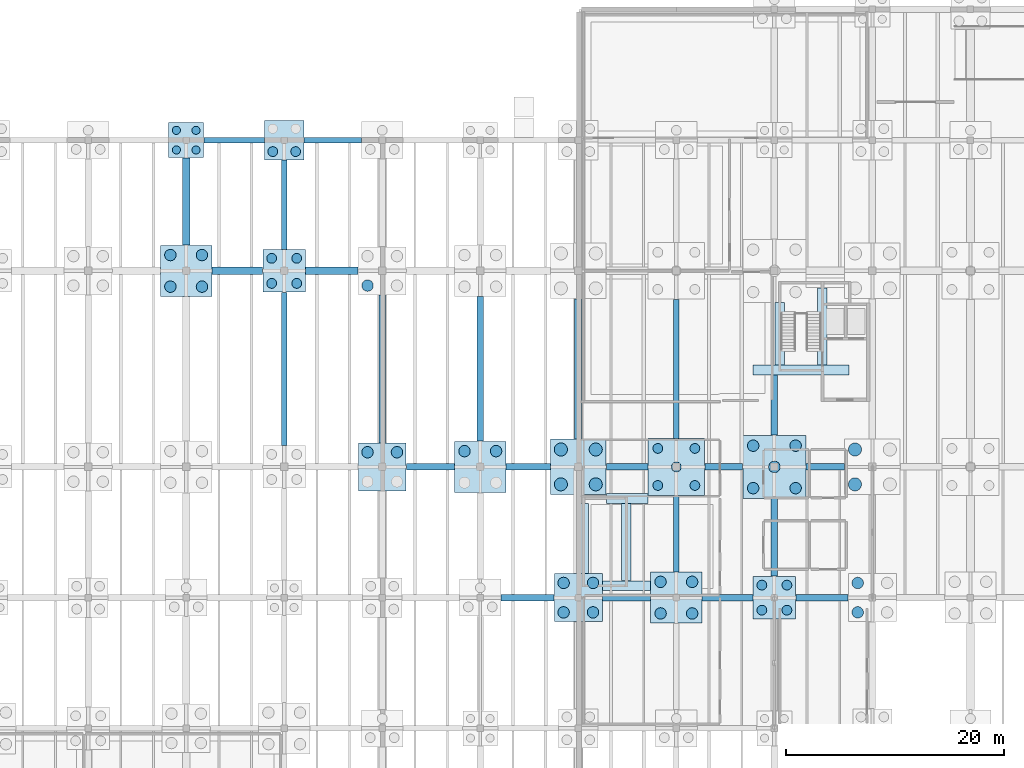
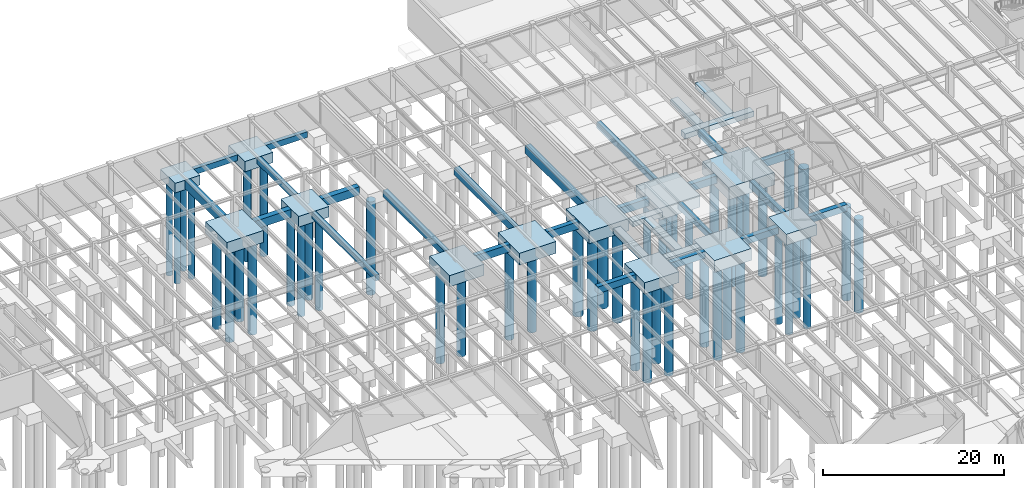
# One storey, part 8 of 40: 49 piles, 42 footings.
"""IFC4 building model written with IfcOpenShell, lengths in metres."""

from ifc_helpers import new_model, si_unit, direction, frame, origin, origin_2d, place, context, subcontext, project, spatial, polyline, rectangle, circle, outline, extrude, material, material_profile, profile_set, type_object, element, save


model = new_model("IFC4")

# Units and contexts
model_context = context("Model", 3, precision=1e-05, world=origin(), true_north=direction((0.0, 1.0)))
body_context = subcontext(model_context, "Body", "Model", "MODEL_VIEW")
ifc_project = project(units=[si_unit("LENGTHUNIT", "METRE"), si_unit("AREAUNIT", "SQUARE_METRE"), si_unit("VOLUMEUNIT", "CUBIC_METRE"), si_unit("PLANEANGLEUNIT", "RADIAN"), si_unit("MASSUNIT", "GRAM", prefix="KILO")], contexts=[model_context])

# Site, building, storey
site_placement = place(None, origin())
site = spatial("IfcSite", under=ifc_project, at=site_placement, CompositionType="ELEMENT")
building_placement = place(site_placement, origin())
building = spatial("IfcBuilding", under=site, at=building_placement, Name="Montelvaro Courts of Justice", CompositionType="ELEMENT")
storey_placement = place(building_placement, frame((0.0, 0.0, -4.5)))
storey = spatial("IfcBuildingStorey", under=building, at=storey_placement, Name="B01", CompositionType="ELEMENT", Elevation=-4.5)

# Piles
ifc_material = material(Name="Concrete C35/45", Category="concrete")
ifc_material_profile_1 = material_profile(ifc_material, circle(Radius=0.52490234375, at=origin_2d()), Name="BORED PILE D1050")
ifc_profile_set_1 = profile_set([ifc_material_profile_1], Name="Concrete C35/45")
pile_type_1 = type_object("IfcPileType", Name="BoredPile_1050", PredefinedType="BORED", material=ifc_profile_set_1)
for number, where, z_axis, x_axis, name in (
    (1, (61.550048828125, 94.550048828125, -1.5), (0.0, 0.0, -1.0), (1.0, 0.0, 0.0), "Bored Pile BP-03 8/H-1"),
    (2, (64.449951171875, 94.550048828125, -1.5), (0.0, 0.0, -1.0), (1.0, 0.0, 0.0), "Bored Pile BP-03 8/H-2"),
    (3, (61.550048828125, 97.449951171875, -1.5), (0.0, 0.0, -1.0), (1.0, 0.0, 0.0), "Bored Pile BP-03 8/H-3"),
    (4, (64.449951171875, 97.449951171875, -1.5), (0.0, 0.0, -1.0), (1.0, 0.0, 0.0), "Bored Pile BP-03 8/H-4"),
):
    element("IfcPile", number, at=place(storey_placement, frame(where, z_axis=z_axis, x_axis=x_axis)), inside=storey, type_object=pile_type_1, Name=name, PredefinedType="BORED", context=body_context, shape_type="SweptSolid", body=[
        extrude(circle(Radius=0.52490234375, at=origin_2d()), origin(), (0.0, 0.0, 1.0), 12.5),
    ])
for number, where, z_axis, x_axis, name in (
    (5, (79.64990234375, 79.35009765625, -1.39990234375), (0.0, 0.0, -1.0), (1.0, 0.0, 0.0), "Bored Pile BP-03 10/G-3"),
    (6, (82.35009765625, 79.35009765625, -1.39990234375), (0.0, 0.0, -1.0), (1.0, 0.0, 0.0), "Bored Pile BP-03 10/G-4"),
    (7, (79.64990234375, 94.64990234375, -1.39990234375), (0.0, 0.0, -1.0), (1.0, 0.0, 0.0), "Bored Pile BP-03 10/H-1"),
):
    element("IfcPile", number, at=place(storey_placement, frame(where, z_axis=z_axis, x_axis=x_axis)), inside=storey, type_object=pile_type_1, Name=name, PredefinedType="BORED", context=body_context, shape_type="SweptSolid", body=[
        extrude(circle(Radius=0.52490234375, at=origin_2d()), origin(), (0.0, 0.0, 1.0), 12.60009765625),
    ])
for number, where, z_axis, x_axis, name in (
    (8, (88.550048828125, 79.449951171875, -1.5), (0.0, 0.0, -1.0), (1.0, 0.0, 0.0), "Bored Pile BP-03 11/G-3"),
    (9, (91.449951171875, 79.449951171875, -1.5), (0.0, 0.0, -1.0), (1.0, 0.0, 0.0), "Bored Pile BP-03 11/G-4"),
):
    element("IfcPile", number, at=place(storey_placement, frame(where, z_axis=z_axis, x_axis=x_axis)), inside=storey, type_object=pile_type_1, Name=name, PredefinedType="BORED", context=body_context, shape_type="SweptSolid", body=[
        extrude(circle(Radius=0.52490234375, at=origin_2d()), origin(), (0.0, 0.0, 1.0), 12.5),
    ])
for number, where, z_axis, x_axis, name in (
    (10, (97.64990234375, 64.64990234375, -1.39990234375), (0.0, 0.0, -1.0), (1.0, 0.0, 0.0), "Bored Pile BP-03 12/F-1"),
    (11, (100.35009765625, 64.64990234375, -1.39990234375), (0.0, 0.0, -1.0), (1.0, 0.0, 0.0), "Bored Pile BP-03 12/F-2"),
    (12, (97.64990234375, 67.35009765625, -1.39990234375), (0.0, 0.0, -1.0), (1.0, 0.0, 0.0), "Bored Pile BP-03 12/F-3"),
    (13, (100.35009765625, 67.35009765625, -1.39990234375), (0.0, 0.0, -1.0), (1.0, 0.0, 0.0), "Bored Pile BP-03 12/F-4"),
):
    element("IfcPile", number, at=place(storey_placement, frame(where, z_axis=z_axis, x_axis=x_axis)), inside=storey, type_object=pile_type_1, Name=name, PredefinedType="BORED", context=body_context, shape_type="SweptSolid", body=[
        extrude(circle(Radius=0.52490234375, at=origin_2d()), origin(), (0.0, 0.0, 1.0), 12.60009765625),
    ])
for number, where, z_axis, x_axis, name in (
    (14, (106.550048828125, 64.550048828125, -1.5), (0.0, 0.0, -1.0), (1.0, 0.0, 0.0), "Bored Pile BP-03 13/F-1"),
    (15, (109.449951171875, 64.550048828125, -1.5), (0.0, 0.0, -1.0), (1.0, 0.0, 0.0), "Bored Pile BP-03 13/F-2"),
    (16, (106.550048828125, 67.449951171875, -1.5), (0.0, 0.0, -1.0), (1.0, 0.0, 0.0), "Bored Pile BP-03 13/F-3"),
    (17, (109.449951171875, 67.449951171875, -1.5), (0.0, 0.0, -1.0), (1.0, 0.0, 0.0), "Bored Pile BP-03 13/F-4"),
):
    element("IfcPile", number, at=place(storey_placement, frame(where, z_axis=z_axis, x_axis=x_axis)), inside=storey, type_object=pile_type_1, Name=name, PredefinedType="BORED", context=body_context, shape_type="SweptSolid", body=[
        extrude(circle(Radius=0.52490234375, at=origin_2d()), origin(), (0.0, 0.0, 1.0), 12.5),
    ])
for number, where, z_axis, x_axis, name in (
    (18, (115.050048828125, 76.050048828125, -1.60009765625), (0.0, 0.0, -1.0), (1.0, 0.0, 0.0), "Bored Pile BP-03 14/G-1"),
    (19, (118.949951171875, 76.050048828125, -1.60009765625), (0.0, 0.0, -1.0), (1.0, 0.0, 0.0), "Bored Pile BP-03 14/G-2"),
    (20, (117.0, 78.0, -1.60009765625), (0.0, 0.0, -1.0), (1.0, 0.0, 0.0), "Bored Pile BP-03 14/G-3"),
    (21, (115.050048828125, 79.949951171875, -1.60009765625), (0.0, 0.0, -1.0), (1.0, 0.0, 0.0), "Bored Pile BP-03 14/G-4"),
    (22, (118.949951171875, 79.949951171875, -1.60009765625), (0.0, 0.0, -1.0), (1.0, 0.0, 0.0), "Bored Pile BP-03 14/G-5"),
):
    element("IfcPile", number, at=place(storey_placement, frame(where, z_axis=z_axis, x_axis=x_axis)), inside=storey, type_object=pile_type_1, Name=name, PredefinedType="BORED", context=body_context, shape_type="SweptSolid", body=[
        extrude(circle(Radius=0.52490234375, at=origin_2d()), origin(), (0.0, 0.0, 1.0), 12.39990234375),
    ])
for number, where, z_axis, x_axis, name in (
    (23, (124.64990234375, 64.64990234375, -1.39990234375), (0.0, 0.0, -1.0), (1.0, 0.0, 0.0), "Bored Pile BP-03 15/F-1"),
    (24, (124.64990234375, 67.35009765625, -1.39990234375), (0.0, 0.0, -1.0), (1.0, 0.0, 0.0), "Bored Pile BP-03 15/F-3"),
):
    element("IfcPile", number, at=place(storey_placement, frame(where, z_axis=z_axis, x_axis=x_axis)), inside=storey, type_object=pile_type_1, Name=name, PredefinedType="BORED", context=body_context, shape_type="SweptSolid", body=[
        extrude(circle(Radius=0.52490234375, at=origin_2d()), origin(), (0.0, 0.0, 1.0), 12.60009765625),
    ])
ifc_material_profile_2 = material_profile(ifc_material, circle(Radius=0.60009765625, at=origin_2d()), Name="BORED PILE D1200")
ifc_profile_set_2 = profile_set([ifc_material_profile_2], Name="Concrete C35/45")
pile_type_2 = type_object("IfcPileType", Name="BoredPile_1200", PredefinedType="BORED", material=ifc_profile_set_2)
for number, where, z_axis, x_axis, name in (
    (25, (97.39990234375, 76.39990234375, -1.550048828125), (0.0, 0.0, -1.0), (1.0, 0.0, 0.0), "Bored Pile BP-04 12/G-1"),
    (26, (100.60009765625, 76.39990234375, -1.550048828125), (0.0, 0.0, -1.0), (1.0, 0.0, 0.0), "Bored Pile BP-04 12/G-2"),
    (27, (97.39990234375, 79.60009765625, -1.550048828125), (0.0, 0.0, -1.0), (1.0, 0.0, 0.0), "Bored Pile BP-04 12/G-3"),
    (28, (100.60009765625, 79.60009765625, -1.550048828125), (0.0, 0.0, -1.0), (1.0, 0.0, 0.0), "Bored Pile BP-04 12/G-4"),
    (29, (124.39990234375, 76.39990234375, -1.550048828125), (0.0, 0.0, -1.0), (1.0, 0.0, 0.0), "Bored Pile BP-04 15/G-1"),
    (30, (124.39990234375, 79.60009765625, -1.550048828125), (0.0, 0.0, -1.0), (1.0, 0.0, 0.0), "Bored Pile BP-04 15/G-3"),
):
    element("IfcPile", number, at=place(storey_placement, frame(where, z_axis=z_axis, x_axis=x_axis)), inside=storey, type_object=pile_type_2, Name=name, PredefinedType="BORED", context=body_context, shape_type="SweptSolid", body=[
        extrude(circle(Radius=0.60009765625, at=origin_2d()), origin(), (0.0, 0.0, 1.0), 12.449951171875),
    ])
ifc_material_profile_3 = material_profile(ifc_material, circle(Radius=0.375, at=origin_2d()), Name="BORED PILE D750")
ifc_profile_set_3 = profile_set([ifc_material_profile_3], Name="Concrete C35/45")
pile_type_3 = type_object("IfcPileType", Name="BoredPile_750", PredefinedType="BORED", material=ifc_profile_set_3)
for number, where, z_axis, x_axis, name in (
    (31, (62.10009765625, 107.10009765625, -1.199951171875), (0.0, 0.0, -1.0), (1.0, 0.0, 0.0), "Bored Pile BP-01 8/I-1"),
    (32, (63.89990234375, 107.10009765625, -1.199951171875), (0.0, 0.0, -1.0), (1.0, 0.0, 0.0), "Bored Pile BP-01 8/I-2"),
    (33, (62.10009765625, 108.89990234375, -1.199951171875), (0.0, 0.0, -1.0), (1.0, 0.0, 0.0), "Bored Pile BP-01 8/I-3"),
    (34, (63.89990234375, 108.89990234375, -1.199951171875), (0.0, 0.0, -1.0), (1.0, 0.0, 0.0), "Bored Pile BP-01 8/I-4"),
):
    element("IfcPile", number, at=place(storey_placement, frame(where, z_axis=z_axis, x_axis=x_axis)), inside=storey, type_object=pile_type_3, Name=name, PredefinedType="BORED", context=body_context, shape_type="SweptSolid", body=[
        extrude(circle(Radius=0.375, at=origin_2d()), origin(), (0.0, 0.0, 1.0), 12.800048828125),
    ])
ifc_material_profile_4 = material_profile(ifc_material, circle(Radius=0.449951171875, at=origin_2d()), Name="BORED PILE D900")
ifc_profile_set_4 = profile_set([ifc_material_profile_4], Name="Concrete C35/45")
pile_type_4 = type_object("IfcPileType", Name="BoredPile_900", PredefinedType="BORED", material=ifc_profile_set_4)
for number, where, z_axis, x_axis, name in (
    (35, (70.85009765625, 94.85009765625, -1.35009765625), (0.0, 0.0, -1.0), (1.0, 0.0, 0.0), "Bored Pile BP-02 9/H-1"),
    (36, (73.14990234375, 94.85009765625, -1.35009765625), (0.0, 0.0, -1.0), (1.0, 0.0, 0.0), "Bored Pile BP-02 9/H-2"),
    (37, (70.85009765625, 97.14990234375, -1.35009765625), (0.0, 0.0, -1.0), (1.0, 0.0, 0.0), "Bored Pile BP-02 9/H-3"),
    (38, (73.14990234375, 97.14990234375, -1.35009765625), (0.0, 0.0, -1.0), (1.0, 0.0, 0.0), "Bored Pile BP-02 9/H-4"),
):
    element("IfcPile", number, at=place(storey_placement, frame(where, z_axis=z_axis, x_axis=x_axis)), inside=storey, type_object=pile_type_4, Name=name, PredefinedType="BORED", context=body_context, shape_type="SweptSolid", body=[
        extrude(circle(Radius=0.449951171875, at=origin_2d()), origin(), (0.0, 0.0, 1.0), 12.64990234375),
    ])
for number, where, z_axis, x_axis, name in (
    (39, (70.949951171875, 106.949951171875, -1.300048828125), (0.0, 0.0, -1.0), (1.0, 0.0, 0.0), "Bored Pile BP-02 9/I-1"),
    (40, (73.050048828125, 106.949951171875, -1.300048828125), (0.0, 0.0, -1.0), (1.0, 0.0, 0.0), "Bored Pile BP-02 9/I-2"),
):
    element("IfcPile", number, at=place(storey_placement, frame(where, z_axis=z_axis, x_axis=x_axis)), inside=storey, type_object=pile_type_4, Name=name, PredefinedType="BORED", context=body_context, shape_type="SweptSolid", body=[
        extrude(circle(Radius=0.449951171875, at=origin_2d()), origin(), (0.0, 0.0, 1.0), 12.699951171875),
    ])
for number, where, z_axis, x_axis, name in (
    (41, (106.300048828125, 76.300048828125, -1.5), (0.0, 0.0, -1.0), (1.0, 0.0, 0.0), "Bored Pile BP-02 13/G-1"),
    (42, (109.699951171875, 76.300048828125, -1.5), (0.0, 0.0, -1.0), (1.0, 0.0, 0.0), "Bored Pile BP-02 13/G-2"),
    (43, (108.0, 78.0, -1.5), (0.0, 0.0, -1.0), (1.0, 0.0, 0.0), "Bored Pile BP-02 13/G-3"),
    (44, (106.300048828125, 79.699951171875, -1.5), (0.0, 0.0, -1.0), (1.0, 0.0, 0.0), "Bored Pile BP-02 13/G-4"),
    (45, (109.699951171875, 79.699951171875, -1.5), (0.0, 0.0, -1.0), (1.0, 0.0, 0.0), "Bored Pile BP-02 13/G-5"),
):
    element("IfcPile", number, at=place(storey_placement, frame(where, z_axis=z_axis, x_axis=x_axis)), inside=storey, type_object=pile_type_4, Name=name, PredefinedType="BORED", context=body_context, shape_type="SweptSolid", body=[
        extrude(circle(Radius=0.449951171875, at=origin_2d()), origin(), (0.0, 0.0, 1.0), 12.5),
    ])
for number, where, z_axis, x_axis, name in (
    (46, (115.85009765625, 64.85009765625, -1.35009765625), (0.0, 0.0, -1.0), (1.0, 0.0, 0.0), "Bored Pile BP-02 14/F-1"),
    (47, (118.14990234375, 64.85009765625, -1.35009765625), (0.0, 0.0, -1.0), (1.0, 0.0, 0.0), "Bored Pile BP-02 14/F-2"),
    (48, (115.85009765625, 67.14990234375, -1.35009765625), (0.0, 0.0, -1.0), (1.0, 0.0, 0.0), "Bored Pile BP-02 14/F-3"),
    (49, (118.14990234375, 67.14990234375, -1.35009765625), (0.0, 0.0, -1.0), (1.0, 0.0, 0.0), "Bored Pile BP-02 14/F-4"),
):
    element("IfcPile", number, at=place(storey_placement, frame(where, z_axis=z_axis, x_axis=x_axis)), inside=storey, type_object=pile_type_4, Name=name, PredefinedType="BORED", context=body_context, shape_type="SweptSolid", body=[
        extrude(circle(Radius=0.449951171875, at=origin_2d()), origin(), (0.0, 0.0, 1.0), 12.64990234375),
    ])

# Footings
footing_type_1 = type_object("IfcFootingType", Name="GroundBeam_500x800", PredefinedType="FOOTING_BEAM", material=ifc_material)
footing_1_placement = place(storey_placement, frame((0.0, 0.0, -0.800048828125)))
element("IfcFooting", 50, at=footing_1_placement, inside=storey, type_object=footing_type_1, Name="Foundation Ground Beam GB-01", PredefinedType="FOOTING_BEAM", context=body_context, shape_type="SweptSolid", body=[
    extrude(outline(polyline([(64.6201171875, 107.75), (70.179931640625, 107.75), (70.179931640625, 108.25), (64.6201171875, 108.25), (64.6201171875, 107.75)])), origin(), (0.0, 0.0, 1.0), 0.800048828125),
])
footing_2_placement = place(storey_placement, frame((0.0, 0.0, -0.800048828125)))
element("IfcFooting", 51, at=footing_2_placement, inside=storey, type_object=footing_type_1, Name="Foundation Ground Beam GB-01", PredefinedType="FOOTING_BEAM", context=body_context, shape_type="SweptSolid", body=[
    extrude(outline(polyline([(73.820068359375, 107.75), (79.080078125, 107.75), (79.080078125, 108.25), (73.820068359375, 108.25), (73.820068359375, 107.75)])), origin(), (0.0, 0.0, 1.0), 0.800048828125),
])
footing_3_placement = place(storey_placement, frame((0.0, 0.0, -0.800048828125)))
element("IfcFooting", 52, at=footing_3_placement, inside=storey, type_object=footing_type_1, Name="Foundation Ground Beam GB-01", PredefinedType="FOOTING_BEAM", context=body_context, shape_type="SweptSolid", body=[
    extrude(outline(polyline([(71.75, 79.969970703125), (72.25, 79.969970703125), (72.25, 94.030029296875), (71.75, 94.030029296875), (71.75, 79.969970703125)])), origin(), (0.0, 0.0, 1.0), 0.800048828125),
])
footing_4_placement = place(storey_placement, frame((0.0, 0.0, -0.800048828125)))
element("IfcFooting", 53, at=footing_4_placement, inside=storey, type_object=footing_type_1, Name="Foundation Ground Beam GB-01", PredefinedType="FOOTING_BEAM", context=body_context, shape_type="SweptSolid", body=[
    extrude(outline(polyline([(71.75, 97.969970703125), (72.25, 97.969970703125), (72.25, 106.179931640625), (71.75, 106.179931640625), (71.75, 97.969970703125)])), origin(), (0.0, 0.0, 1.0), 0.800048828125),
])
footing_5_placement = place(storey_placement, frame((0.0, 0.0, -0.800048828125)))
element("IfcFooting", 54, at=footing_5_placement, inside=storey, type_object=footing_type_1, Name="Foundation Ground Beam GB-01", PredefinedType="FOOTING_BEAM", context=body_context, shape_type="SweptSolid", body=[
    extrude(outline(polyline([(107.75, 68.3701171875), (108.25, 68.3701171875), (108.25, 75.3798828125), (107.75, 75.3798828125), (107.75, 68.3701171875)])), origin(), (0.0, 0.0, 1.0), 0.800048828125),
])
footing_6_placement = place(storey_placement, frame((0.0, 0.0, -0.800048828125)))
element("IfcFooting", 55, at=footing_6_placement, inside=storey, type_object=footing_type_1, Name="Foundation Ground Beam GB-01", PredefinedType="FOOTING_BEAM", context=body_context, shape_type="SweptSolid", body=[
    extrude(outline(polyline([(107.75, 80.6201171875), (108.25, 80.6201171875), (108.25, 93.3798828125), (107.75, 93.3798828125), (107.75, 80.6201171875)])), origin(), (0.0, 0.0, 1.0), 0.800048828125),
])
footing_type_2 = type_object("IfcFootingType", Name="GroundBeam_600x1000", PredefinedType="FOOTING_BEAM", material=ifc_material)
footing_7_placement = place(storey_placement, frame((0.0, 0.0, -1.0)))
element("IfcFooting", 56, at=footing_7_placement, inside=storey, type_object=footing_type_2, Name="Foundation Ground Beam GB-03", PredefinedType="FOOTING_BEAM", context=body_context, shape_type="SweptSolid", body=[
    extrude(outline(polyline([(83.219970703125, 77.699951171875), (87.6298828125, 77.699951171875), (87.6298828125, 78.300048828125), (83.219970703125, 78.300048828125), (83.219970703125, 77.699951171875)])), origin(), (0.0, 0.0, 1.0), 1.0),
])
footing_8_placement = place(storey_placement, frame((0.0, 0.0, -1.0)))
element("IfcFooting", 57, at=footing_8_placement, inside=storey, type_object=footing_type_2, Name="Foundation Ground Beam GB-03", PredefinedType="FOOTING_BEAM", context=body_context, shape_type="SweptSolid", body=[
    extrude(outline(polyline([(92.3701171875, 77.699951171875), (96.429931640625, 77.699951171875), (96.429931640625, 78.300048828125), (92.3701171875, 78.300048828125), (92.3701171875, 77.699951171875)])), origin(), (0.0, 0.0, 1.0), 1.0),
])
footing_9_placement = place(storey_placement, frame((0.0, 0.0, -1.0)))
element("IfcFooting", 58, at=footing_9_placement, inside=storey, type_object=footing_type_2, Name="Foundation Ground Beam GB-03", PredefinedType="FOOTING_BEAM", context=body_context, shape_type="SweptSolid", body=[
    extrude(outline(polyline([(101.570068359375, 77.699951171875), (105.3798828125, 77.699951171875), (105.3798828125, 78.300048828125), (101.570068359375, 78.300048828125), (101.570068359375, 77.699951171875)])), origin(), (0.0, 0.0, 1.0), 1.0),
])
footing_10_placement = place(storey_placement, frame((0.0, 0.0, -1.0)))
element("IfcFooting", 59, at=footing_10_placement, inside=storey, type_object=footing_type_2, Name="Foundation Ground Beam GB-03", PredefinedType="FOOTING_BEAM", context=body_context, shape_type="SweptSolid", body=[
    extrude(outline(polyline([(110.6201171875, 77.699951171875), (114.080078125, 77.699951171875), (114.080078125, 78.300048828125), (110.6201171875, 78.300048828125), (110.6201171875, 77.699951171875)])), origin(), (0.0, 0.0, 1.0), 1.0),
])
footing_11_placement = place(storey_placement, frame((0.0, 0.0, -1.0)))
element("IfcFooting", 60, at=footing_11_placement, inside=storey, type_object=footing_type_2, Name="Foundation Ground Beam GB-03", PredefinedType="FOOTING_BEAM", context=body_context, shape_type="SweptSolid", body=[
    extrude(outline(polyline([(119.919921875, 77.699951171875), (123.429931640625, 77.699951171875), (123.429931640625, 78.300048828125), (119.919921875, 78.300048828125), (119.919921875, 77.699951171875)])), origin(), (0.0, 0.0, 1.0), 1.0),
])
footing_12_placement = place(storey_placement, frame((0.0, 0.0, -1.0)))
element("IfcFooting", 61, at=footing_12_placement, inside=storey, type_object=footing_type_2, Name="Foundation Ground Beam GB-03", PredefinedType="FOOTING_BEAM", context=body_context, shape_type="SweptSolid", body=[
    extrude(outline(polyline([(89.699951171875, 80.3701171875), (90.300048828125, 80.3701171875), (90.300048828125, 93.6298828125), (89.699951171875, 93.6298828125), (89.699951171875, 80.3701171875)])), origin(), (0.0, 0.0, 1.0), 1.0),
])
footing_type_3 = type_object("IfcFootingType", Name="GroundBeam_600x900", PredefinedType="FOOTING_BEAM", material=ifc_material)
footing_13_placement = place(storey_placement, frame((0.0, 0.0, -0.89990234375)))
element("IfcFooting", 62, at=footing_13_placement, inside=storey, type_object=footing_type_3, Name="Foundation Ground Beam GB-02", PredefinedType="FOOTING_BEAM", context=body_context, shape_type="SweptSolid", body=[
    extrude(outline(polyline([(91.919921875, 65.699951171875), (96.780029296875, 65.699951171875), (96.780029296875, 66.300048828125), (91.919921875, 66.300048828125), (91.919921875, 65.699951171875)])), origin(), (0.0, 0.0, 1.0), 0.89990234375),
])
footing_14_placement = place(storey_placement, frame((0.0, 0.0, -0.89990234375)))
element("IfcFooting", 63, at=footing_14_placement, inside=storey, type_object=footing_type_3, Name="Foundation Ground Beam GB-02", PredefinedType="FOOTING_BEAM", context=body_context, shape_type="SweptSolid", body=[
    extrude(outline(polyline([(101.219970703125, 65.699951171875), (105.6298828125, 65.699951171875), (105.6298828125, 66.300048828125), (101.219970703125, 66.300048828125), (101.219970703125, 65.699951171875)])), origin(), (0.0, 0.0, 1.0), 0.89990234375),
])
footing_15_placement = place(storey_placement, frame((0.0, 0.0, -0.89990234375)))
element("IfcFooting", 64, at=footing_15_placement, inside=storey, type_object=footing_type_3, Name="Foundation Ground Beam GB-02", PredefinedType="FOOTING_BEAM", context=body_context, shape_type="SweptSolid", body=[
    extrude(outline(polyline([(110.3701171875, 65.699951171875), (115.030029296875, 65.699951171875), (115.030029296875, 66.300048828125), (110.3701171875, 66.300048828125), (110.3701171875, 65.699951171875)])), origin(), (0.0, 0.0, 1.0), 0.89990234375),
])
footing_16_placement = place(storey_placement, frame((0.0, 0.0, -0.89990234375)))
element("IfcFooting", 65, at=footing_16_placement, inside=storey, type_object=footing_type_3, Name="Foundation Ground Beam GB-02", PredefinedType="FOOTING_BEAM", context=body_context, shape_type="SweptSolid", body=[
    extrude(outline(polyline([(118.969970703125, 65.699951171875), (123.780029296875, 65.699951171875), (123.780029296875, 66.300048828125), (118.969970703125, 66.300048828125), (118.969970703125, 65.699951171875)])), origin(), (0.0, 0.0, 1.0), 0.89990234375),
])
footing_17_placement = place(storey_placement, frame((0.0, 0.0, -0.89990234375)))
element("IfcFooting", 66, at=footing_17_placement, inside=storey, type_object=footing_type_3, Name="Foundation Ground Beam GB-02", PredefinedType="FOOTING_BEAM", context=body_context, shape_type="SweptSolid", body=[
    extrude(outline(polyline([(80.699951171875, 80.219970703125), (81.300048828125, 80.219970703125), (81.300048828125, 93.780029296875), (80.699951171875, 93.780029296875), (80.699951171875, 80.219970703125)])), origin(), (0.0, 0.0, 1.0), 0.89990234375),
])
footing_18_placement = place(storey_placement, frame((0.0, 0.0, -0.89990234375)))
element("IfcFooting", 67, at=footing_18_placement, inside=storey, type_object=footing_type_3, Name="Foundation Ground Beam GB-02", PredefinedType="FOOTING_BEAM", context=body_context, shape_type="SweptSolid", body=[
    extrude(outline(polyline([(116.699951171875, 67.969970703125), (117.300048828125, 67.969970703125), (117.300048828125, 75.080078125), (116.699951171875, 75.080078125), (116.699951171875, 67.969970703125)])), origin(), (0.0, 0.0, 1.0), 0.89990234375),
])
footing_19_placement = place(storey_placement, frame((0.0, 0.0, -0.89990234375)))
element("IfcFooting", 68, at=footing_19_placement, inside=storey, type_object=footing_type_3, Name="Foundation Ground Beam GB-02", PredefinedType="FOOTING_BEAM", context=body_context, shape_type="SweptSolid", body=[
    extrude(outline(polyline([(116.699951171875, 80.919921875), (117.300048828125, 80.919921875), (117.300048828125, 86.429931640625), (116.699951171875, 86.429931640625), (116.699951171875, 80.919921875)])), origin(), (0.0, 0.0, 1.0), 0.89990234375),
])
footing_type_4 = type_object("IfcFootingType", Name="GroundBeam_700x1100", PredefinedType="FOOTING_BEAM", material=ifc_material)
footing_20_placement = place(storey_placement, frame((0.0, 0.0, -1.10009765625)))
element("IfcFooting", 69, at=footing_20_placement, inside=storey, type_object=footing_type_4, Name="Foundation Ground Beam GB-04", PredefinedType="FOOTING_BEAM", context=body_context, shape_type="SweptSolid", body=[
    extrude(outline(polyline([(65.3701171875, 95.64990234375), (70.030029296875, 95.64990234375), (70.030029296875, 96.35009765625), (65.3701171875, 96.35009765625), (65.3701171875, 95.64990234375)])), origin(), (0.0, 0.0, 1.0), 1.10009765625),
])
footing_21_placement = place(storey_placement, frame((0.0, 0.0, -1.10009765625)))
element("IfcFooting", 70, at=footing_21_placement, inside=storey, type_object=footing_type_4, Name="Foundation Ground Beam GB-04", PredefinedType="FOOTING_BEAM", context=body_context, shape_type="SweptSolid", body=[
    extrude(outline(polyline([(73.969970703125, 95.64990234375), (78.780029296875, 95.64990234375), (78.780029296875, 96.35009765625), (73.969970703125, 96.35009765625), (73.969970703125, 95.64990234375)])), origin(), (0.0, 0.0, 1.0), 1.10009765625),
])
footing_22_placement = place(storey_placement, frame((0.0, 0.0, -1.10009765625)))
element("IfcFooting", 71, at=footing_22_placement, inside=storey, type_object=footing_type_4, Name="Foundation Ground Beam GB-04", PredefinedType="FOOTING_BEAM", context=body_context, shape_type="SweptSolid", body=[
    extrude(outline(polyline([(62.64990234375, 98.3701171875), (63.35009765625, 98.3701171875), (63.35009765625, 106.3798828125), (62.64990234375, 106.3798828125), (62.64990234375, 98.3701171875)])), origin(), (0.0, 0.0, 1.0), 1.10009765625),
])
footing_23_placement = place(storey_placement, frame((0.0, 0.0, -1.10009765625)))
element("IfcFooting", 72, at=footing_23_placement, inside=storey, type_object=footing_type_4, Name="Foundation Ground Beam GB-04", PredefinedType="FOOTING_BEAM", context=body_context, shape_type="SweptSolid", body=[
    extrude(outline(polyline([(98.64990234375, 80.570068359375), (99.35009765625, 80.570068359375), (99.35009765625, 93.429931640625), (98.64990234375, 93.429931640625), (98.64990234375, 80.570068359375)])), origin(), (0.0, 0.0, 1.0), 1.10009765625),
])
footing_type_5 = type_object("IfcFootingType", Name="PileCap_4P_320x320x130", PredefinedType="PILE_CAP", material=ifc_material)
footing_24_placement = place(storey_placement, frame((63.0, 108.0, -1.2998046875), z_axis=(0.0, 0.0, 1.0), x_axis=(1.0, 0.0, 0.0)))
element("IfcFooting", 73, at=footing_24_placement, inside=storey, type_object=footing_type_5, Name="Pile Cap PC-08 at 8/I", PredefinedType="PILE_CAP", context=body_context, shape_type="SweptSolid", body=[
    extrude(rectangle(XDim=3.199951171875, YDim=3.199951171875, at=origin_2d()), origin(), (0.0, 0.0, 1.0), 1.300048828125),
])
footing_type_6 = type_object("IfcFootingType", Name="PileCap_4P_360x360x140", PredefinedType="PILE_CAP", material=ifc_material)
footing_25_placement = place(storey_placement, frame((72.0, 108.0, -1.39990234375), z_axis=(0.0, 0.0, 1.0), x_axis=(1.0, 0.0, 0.0)))
element("IfcFooting", 74, at=footing_25_placement, inside=storey, type_object=footing_type_6, Name="Pile Cap PC-09 at 9/I", PredefinedType="PILE_CAP", context=body_context, shape_type="SweptSolid", body=[
    extrude(rectangle(XDim=3.60009765625, YDim=3.60009765625, at=origin_2d()), origin(), (0.0, 0.0, 1.0), 1.39990234375),
])
footing_type_7 = type_object("IfcFootingType", Name="PileCap_4P_390x390x145", PredefinedType="PILE_CAP", material=ifc_material)
for number, where, z_axis, x_axis, name in (
    (75, (72.0, 96.0, -1.4501953125), (0.0, 0.0, 1.0), (1.0, 0.0, 0.0), "Pile Cap PC-10 at 9/H"),
    (76, (117.0, 66.0, -1.4501953125), (0.0, 0.0, 1.0), (1.0, 0.0, 0.0), "Pile Cap PC-10 at 14/F"),
):
    element("IfcFooting", number, at=place(storey_placement, frame(where, z_axis=z_axis, x_axis=x_axis)), inside=storey, type_object=footing_type_7, Name=name, PredefinedType="PILE_CAP", context=body_context, shape_type="SweptSolid", body=[
        extrude(rectangle(XDim=3.89990234375, YDim=3.89990234375, at=origin_2d()), origin(), (0.0, 0.0, 1.0), 1.449951171875),
    ])
footing_type_8 = type_object("IfcFootingType", Name="PileCap_4P_440x440x150", PredefinedType="PILE_CAP", material=ifc_material)
for number, where, z_axis, x_axis, name in (
    (77, (81.0, 78.0, -1.5), (0.0, 0.0, 1.0), (1.0, 0.0, 0.0), "Pile Cap PC-11 at 10/G"),
    (78, (99.0, 66.0, -1.5), (0.0, 0.0, 1.0), (1.0, 0.0, 0.0), "Pile Cap PC-11 at 12/F"),
):
    element("IfcFooting", number, at=place(storey_placement, frame(where, z_axis=z_axis, x_axis=x_axis)), inside=storey, type_object=footing_type_8, Name=name, PredefinedType="PILE_CAP", context=body_context, shape_type="SweptSolid", body=[
        extrude(rectangle(XDim=4.39990234375, YDim=4.39990234375, at=origin_2d()), origin(), (0.0, 0.0, 1.0), 1.5),
    ])
footing_type_9 = type_object("IfcFootingType", Name="PileCap_4P_470x470x160", PredefinedType="PILE_CAP", material=ifc_material)
for number, where, z_axis, x_axis, name in (
    (79, (63.0, 96.0, -1.60009765625), (0.0, 0.0, 1.0), (1.0, 0.0, 0.0), "Pile Cap PC-12 at 8/H"),
    (80, (90.0, 78.0, -1.60009765625), (0.0, 0.0, 1.0), (1.0, 0.0, 0.0), "Pile Cap PC-12 at 11/G"),
    (81, (108.0, 66.0, -1.60009765625), (0.0, 0.0, 1.0), (1.0, 0.0, 0.0), "Pile Cap PC-12 at 13/F"),
):
    element("IfcFooting", number, at=place(storey_placement, frame(where, z_axis=z_axis, x_axis=x_axis)), inside=storey, type_object=footing_type_9, Name=name, PredefinedType="PILE_CAP", context=body_context, shape_type="SweptSolid", body=[
        extrude(rectangle(XDim=4.699951171875, YDim=4.699951171875, at=origin_2d()), origin(), (0.0, 0.0, 1.0), 1.60009765625),
    ])
footing_type_10 = type_object("IfcFootingType", Name="PileCap_4P_510x510x165", PredefinedType="PILE_CAP", material=ifc_material)
footing_26_placement = place(storey_placement, frame((99.0, 78.0, -1.64990234375), z_axis=(0.0, 0.0, 1.0), x_axis=(1.0, 0.0, 0.0)))
element("IfcFooting", 82, at=footing_26_placement, inside=storey, type_object=footing_type_10, Name="Pile Cap PC-13 at 12/G", PredefinedType="PILE_CAP", context=body_context, shape_type="SweptSolid", body=[
    extrude(rectangle(XDim=5.10009765625, YDim=5.10009765625, at=origin_2d()), origin(), (0.0, 0.0, 1.0), 1.64990234375),
])
footing_type_11 = type_object("IfcFootingType", Name="PileCap_5P_520x520x160", PredefinedType="PILE_CAP", material=ifc_material)
footing_27_placement = place(storey_placement, frame((108.0, 78.0, -1.60009765625), z_axis=(0.0, 0.0, 1.0), x_axis=(1.0, 0.0, 0.0)))
element("IfcFooting", 83, at=footing_27_placement, inside=storey, type_object=footing_type_11, Name="Pile Cap PC-14 at 13/G", PredefinedType="PILE_CAP", context=body_context, shape_type="SweptSolid", body=[
    extrude(rectangle(XDim=5.199951171875, YDim=5.199951171875, at=origin_2d()), origin(), (0.0, 0.0, 1.0), 1.60009765625),
])
footing_type_12 = type_object("IfcFootingType", Name="PileCap_5P_580x580x170", PredefinedType="PILE_CAP", material=ifc_material)
footing_28_placement = place(storey_placement, frame((117.0, 78.0, -1.7001953125), z_axis=(0.0, 0.0, 1.0), x_axis=(1.0, 0.0, 0.0)))
element("IfcFooting", 84, at=footing_28_placement, inside=storey, type_object=footing_type_12, Name="Pile Cap PC-15 at 14/G", PredefinedType="PILE_CAP", context=body_context, shape_type="SweptSolid", body=[
    extrude(rectangle(XDim=5.800048828125, YDim=5.800048828125, at=origin_2d()), origin(), (0.0, 0.0, 1.0), 1.699951171875),
])
footing_type_13 = type_object("IfcFootingType", Name="StripFooting_900x700", PredefinedType="STRIP_FOOTING", material=ifc_material)
footing_29_placement = place(storey_placement, frame((0.0, 0.0, -0.699951171875)))
element("IfcFooting", 85, at=footing_29_placement, inside=storey, type_object=footing_type_13, Name="Stair and Plinth Strip Footing SFG-01-09", PredefinedType="STRIP_FOOTING", context=body_context, shape_type="SweptSolid", body=[
    extrude(outline(polyline([(115.050048828125, 86.449951171875), (123.85009765625, 86.449951171875), (123.85009765625, 87.35009765625), (115.050048828125, 87.35009765625), (115.050048828125, 86.449951171875)])), origin(), (0.0, 0.0, 1.0), 0.699951171875),
])
footing_30_placement = place(storey_placement, frame((0.0, 0.0, -0.699951171875)))
element("IfcFooting", 86, at=footing_30_placement, inside=storey, type_object=footing_type_13, Name="Stair and Plinth Strip Footing SFG-01-11", PredefinedType="STRIP_FOOTING", context=body_context, shape_type="SweptSolid", body=[
    extrude(outline(polyline([(117.050048828125, 87.3701171875), (117.949951171875, 87.3701171875), (117.949951171875, 93.080078125), (117.050048828125, 93.080078125), (117.050048828125, 87.3701171875)])), origin(), (0.0, 0.0, 1.0), 0.699951171875),
])
footing_31_placement = place(storey_placement, frame((0.0, 0.0, -0.699951171875)))
element("IfcFooting", 87, at=footing_31_placement, inside=storey, type_object=footing_type_13, Name="Stair and Plinth Strip Footing SFG-01-12", PredefinedType="STRIP_FOOTING", context=body_context, shape_type="SweptSolid", body=[
    extrude(outline(polyline([(120.949951171875, 87.3701171875), (121.85009765625, 87.3701171875), (121.85009765625, 94.429931640625), (120.949951171875, 94.429931640625), (120.949951171875, 87.3701171875)])), origin(), (0.0, 0.0, 1.0), 0.699951171875),
])
footing_32_placement = place(storey_placement, frame((0.0, 0.0, -0.699951171875)))
element("IfcFooting", 88, at=footing_32_placement, inside=storey, type_object=footing_type_13, Name="Stair and Plinth Strip Footing SFG-01-13", PredefinedType="STRIP_FOOTING", context=body_context, shape_type="SweptSolid", body=[
    extrude(outline(polyline([(101.219970703125, 66.64990234375), (105.6298828125, 66.64990234375), (105.6298828125, 67.550048828125), (101.219970703125, 67.550048828125), (101.219970703125, 66.64990234375)])), origin(), (0.0, 0.0, 1.0), 0.699951171875),
])
footing_33_placement = place(storey_placement, frame((0.0, 0.0, -0.699951171875)))
element("IfcFooting", 89, at=footing_33_placement, inside=storey, type_object=footing_type_13, Name="Stair and Plinth Strip Footing SFG-01-14", PredefinedType="STRIP_FOOTING", context=body_context, shape_type="SweptSolid", body=[
    extrude(outline(polyline([(101.570068359375, 74.64990234375), (105.3798828125, 74.64990234375), (105.3798828125, 75.550048828125), (101.570068359375, 75.550048828125), (101.570068359375, 74.64990234375)])), origin(), (0.0, 0.0, 1.0), 0.699951171875),
])
footing_34_placement = place(storey_placement, frame((0.0, 0.0, -0.699951171875)))
element("IfcFooting", 90, at=footing_34_placement, inside=storey, type_object=footing_type_13, Name="Stair and Plinth Strip Footing SFG-01-15", PredefinedType="STRIP_FOOTING", context=body_context, shape_type="SweptSolid", body=[
    extrude(outline(polyline([(99.050048828125, 68.219970703125), (99.949951171875, 68.219970703125), (99.949951171875, 74.6298828125), (99.050048828125, 74.6298828125), (99.050048828125, 68.219970703125)])), origin(), (0.0, 0.0, 1.0), 0.699951171875),
])
footing_35_placement = place(storey_placement, frame((0.0, 0.0, -0.699951171875)))
element("IfcFooting", 91, at=footing_35_placement, inside=storey, type_object=footing_type_13, Name="Stair and Plinth Strip Footing SFG-01-16", PredefinedType="STRIP_FOOTING", context=body_context, shape_type="SweptSolid", body=[
    extrude(outline(polyline([(102.949951171875, 67.570068359375), (103.85009765625, 67.570068359375), (103.85009765625, 74.6298828125), (102.949951171875, 74.6298828125), (102.949951171875, 67.570068359375)])), origin(), (0.0, 0.0, 1.0), 0.699951171875),
])

save(model, "model.ifc")
